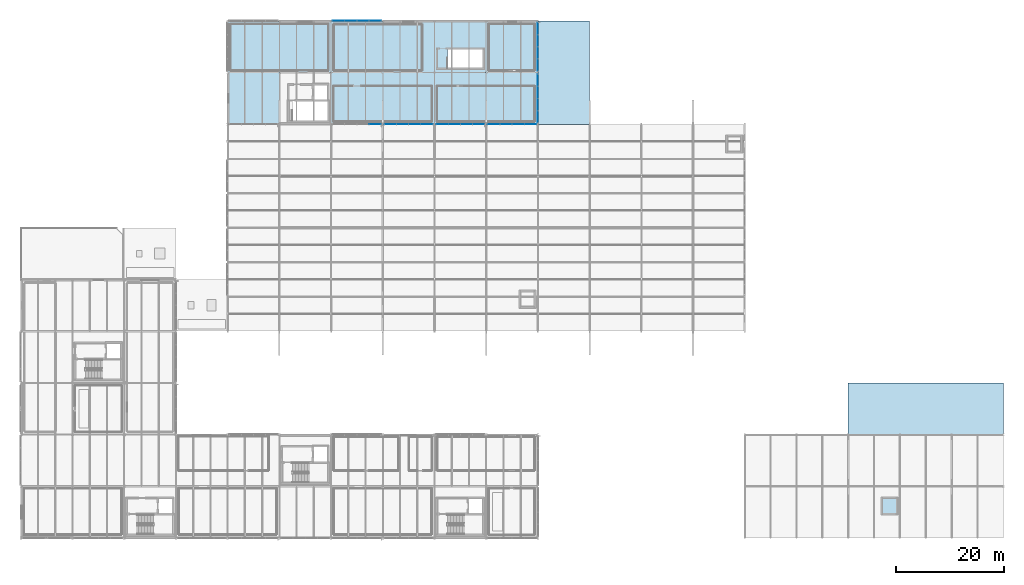
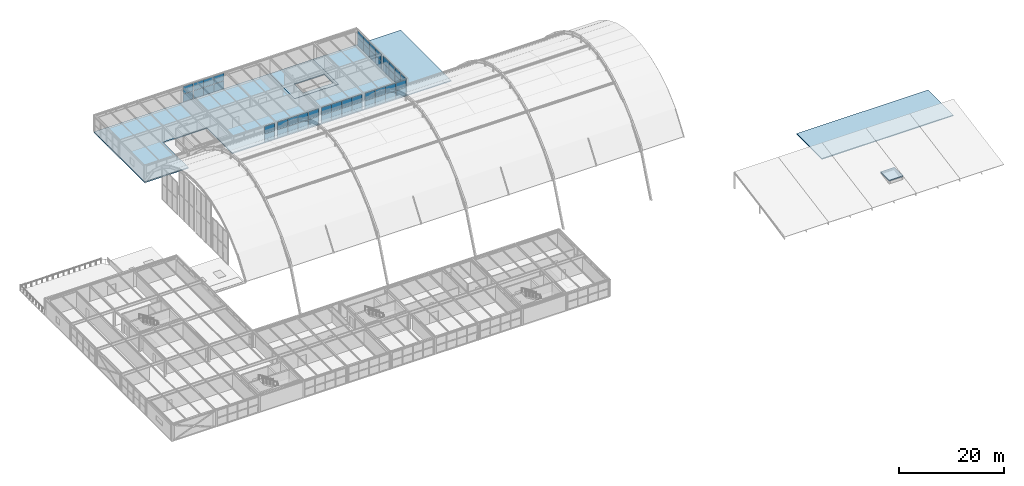
# One storey, part 108 of 126: 50 plates, 5 slabs, 7 elements without a shape of their own.
"""IFC4 building model written with IfcOpenShell, lengths in metres."""

from ifc_helpers import new_model, si_unit, direction, frame, origin, origin_2d, place, context, subcontext, project, spatial, polyline, rectangle, outline, extrude, material, layer, layer_set, type_object, element, aggregate, save


model = new_model("IFC4")

# Units and contexts
model_context = context("Model", 3, precision=1e-05, world=origin(), true_north=direction((0.0, 1.0)))
body_context = subcontext(model_context, "Body", "Model", "MODEL_VIEW")
ifc_project = project(units=[si_unit("LENGTHUNIT", "METRE"), si_unit("AREAUNIT", "SQUARE_METRE"), si_unit("VOLUMEUNIT", "CUBIC_METRE"), si_unit("PLANEANGLEUNIT", "RADIAN"), si_unit("MASSUNIT", "GRAM", prefix="KILO")], contexts=[model_context])

# Site, building, storey
site_placement = place(None, origin())
site = spatial("IfcSite", under=ifc_project, at=site_placement, CompositionType="ELEMENT")
building_placement = place(site_placement, origin())
building = spatial("IfcBuilding", under=site, at=building_placement, Name="Coralgate Yard Interchange", CompositionType="ELEMENT")
storey_placement = place(building_placement, frame((0.0, 0.0, 10.5)))
storey = spatial("IfcBuildingStorey", under=building, at=storey_placement, Name="L02", CompositionType="ELEMENT", Elevation=10.5)

# Curtain wall, plates
ifc_material_1 = material(Name="Anodised coastal aluminium and solar-control low-E glass", Category="aluminium")
curtain_wall_type = type_object("IfcCurtainWallType", Name="CW-CW-L02-A", PredefinedType="NOTDEFINED", material=ifc_material_1)
curtain_wall_1_placement = place(storey_placement, origin())
curtain_wall_1 = element("IfcCurtainWall", 1, at=curtain_wall_1_placement, inside=storey, type_object=curtain_wall_type, Name="L02 unitised curtain wall CW-L02-S-06-08", PredefinedType="NOTDEFINED")
ifc_material_2 = material(Name="Solar-control double-glazed low-E glass unit", Category="glass")
ifc_layer_1 = layer(ifc_material_2, 0.028076171875)
ifc_layer_set_1 = layer_set([ifc_layer_1], Name="Solar-control double-glazed low-E glass unit")
plate_type = type_object("IfcPlateType", Name="PLT-CP-28", PredefinedType="CURTAIN_PANEL", material=ifc_layer_set_1)
plate_1_placement = place(storey_placement, frame((65.77490234375, 76.800048828125, 0.02490234375), z_axis=(0.0, 0.0, 1.0), x_axis=(-1.0, 0.0, 0.0)))
plate_1 = element("IfcPlate", 2, at=plate_1_placement, type_object=plate_type, Name="CW-L02-S-06-08 solar-control glazing panel 1-1", PredefinedType="CURTAIN_PANEL", context=body_context, shape_type="SweptSolid", body=[
    extrude(rectangle(XDim=2.199951171875, YDim=0.028076171875, at=origin_2d()), origin(), (0.0, 0.0, 1.0), 1.780029296875),
])
plate_2_placement = place(storey_placement, frame((65.77490234375, 76.800048828125, 1.85498046875), z_axis=(0.0, 0.0, 1.0), x_axis=(-1.0, 0.0, 0.0)))
plate_2 = element("IfcPlate", 3, at=plate_2_placement, type_object=plate_type, Name="CW-L02-S-06-08 solar-control glazing panel 1-2", PredefinedType="CURTAIN_PANEL", context=body_context, shape_type="SweptSolid", body=[
    extrude(rectangle(XDim=2.199951171875, YDim=0.028076171875, at=origin_2d()), origin(), (0.0, 0.0, 1.0), 1.780029296875),
])
aggregate(curtain_wall_1, [plate_1, plate_2])

curtain_wall_2_placement = place(storey_placement, origin())
curtain_wall_2 = element("IfcCurtainWall", 4, at=curtain_wall_2_placement, inside=storey, type_object=curtain_wall_type, Name="L02 unitised curtain wall CW-L02-N-06-09", PredefinedType="NOTDEFINED")
plate_3_placement = place(storey_placement, frame((59.02490234375, 96.0, 0.02490234375), z_axis=(0.0, 0.0, 1.0), x_axis=(1.0, 0.0, 0.0)))
plate_3 = element("IfcPlate", 5, at=plate_3_placement, type_object=plate_type, Name="CW-L02-N-06-09 solar-control glazing panel 1-1", PredefinedType="CURTAIN_PANEL", context=body_context, shape_type="SweptSolid", body=[
    extrude(rectangle(XDim=2.199951171875, YDim=0.028076171875, at=origin_2d()), origin(), (0.0, 0.0, 1.0), 1.780029296875),
])
plate_4_placement = place(storey_placement, frame((59.02490234375, 96.0, 1.85498046875), z_axis=(0.0, 0.0, 1.0), x_axis=(1.0, 0.0, 0.0)))
plate_4 = element("IfcPlate", 6, at=plate_4_placement, type_object=plate_type, Name="CW-L02-N-06-09 solar-control glazing panel 1-2", PredefinedType="CURTAIN_PANEL", context=body_context, shape_type="SweptSolid", body=[
    extrude(rectangle(XDim=2.199951171875, YDim=0.028076171875, at=origin_2d()), origin(), (0.0, 0.0, 1.0), 1.780029296875),
])
plate_5_placement = place(storey_placement, frame((61.27490234375, 96.0, 0.02490234375), z_axis=(0.0, 0.0, 1.0), x_axis=(1.0, 0.0, 0.0)))
plate_5 = element("IfcPlate", 7, at=plate_5_placement, type_object=plate_type, Name="CW-L02-N-06-09 solar-control glazing panel 2-1", PredefinedType="CURTAIN_PANEL", context=body_context, shape_type="SweptSolid", body=[
    extrude(rectangle(XDim=2.199951171875, YDim=0.028076171875, at=origin_2d()), origin(), (0.0, 0.0, 1.0), 1.780029296875),
])
plate_6_placement = place(storey_placement, frame((61.27490234375, 96.0, 1.85498046875), z_axis=(0.0, 0.0, 1.0), x_axis=(1.0, 0.0, 0.0)))
plate_6 = element("IfcPlate", 8, at=plate_6_placement, type_object=plate_type, Name="CW-L02-N-06-09 solar-control glazing panel 2-2", PredefinedType="CURTAIN_PANEL", context=body_context, shape_type="SweptSolid", body=[
    extrude(rectangle(XDim=2.199951171875, YDim=0.028076171875, at=origin_2d()), origin(), (0.0, 0.0, 1.0), 1.780029296875),
])
plate_7_placement = place(storey_placement, frame((63.52490234375, 96.0, 0.02490234375), z_axis=(0.0, 0.0, 1.0), x_axis=(1.0, 0.0, 0.0)))
plate_7 = element("IfcPlate", 9, at=plate_7_placement, type_object=plate_type, Name="CW-L02-N-06-09 solar-control glazing panel 3-1", PredefinedType="CURTAIN_PANEL", context=body_context, shape_type="SweptSolid", body=[
    extrude(rectangle(XDim=2.199951171875, YDim=0.028076171875, at=origin_2d()), origin(), (0.0, 0.0, 1.0), 1.780029296875),
])
plate_8_placement = place(storey_placement, frame((63.52490234375, 96.0, 1.85498046875), z_axis=(0.0, 0.0, 1.0), x_axis=(1.0, 0.0, 0.0)))
plate_8 = element("IfcPlate", 10, at=plate_8_placement, type_object=plate_type, Name="CW-L02-N-06-09 solar-control glazing panel 3-2", PredefinedType="CURTAIN_PANEL", context=body_context, shape_type="SweptSolid", body=[
    extrude(rectangle(XDim=2.199951171875, YDim=0.028076171875, at=origin_2d()), origin(), (0.0, 0.0, 1.0), 1.780029296875),
])
plate_9_placement = place(storey_placement, frame((65.77490234375, 96.0, 0.02490234375), z_axis=(0.0, 0.0, 1.0), x_axis=(1.0, 0.0, 0.0)))
plate_9 = element("IfcPlate", 11, at=plate_9_placement, type_object=plate_type, Name="CW-L02-N-06-09 solar-control glazing panel 4-1", PredefinedType="CURTAIN_PANEL", context=body_context, shape_type="SweptSolid", body=[
    extrude(rectangle(XDim=2.199951171875, YDim=0.028076171875, at=origin_2d()), origin(), (0.0, 0.0, 1.0), 1.780029296875),
])
plate_10_placement = place(storey_placement, frame((65.77490234375, 96.0, 1.85498046875), z_axis=(0.0, 0.0, 1.0), x_axis=(1.0, 0.0, 0.0)))
plate_10 = element("IfcPlate", 12, at=plate_10_placement, type_object=plate_type, Name="CW-L02-N-06-09 solar-control glazing panel 4-2", PredefinedType="CURTAIN_PANEL", context=body_context, shape_type="SweptSolid", body=[
    extrude(rectangle(XDim=2.199951171875, YDim=0.028076171875, at=origin_2d()), origin(), (0.0, 0.0, 1.0), 1.780029296875),
])
aggregate(curtain_wall_2, [plate_3, plate_4, plate_5, plate_6, plate_7, plate_8, plate_9, plate_10])

curtain_wall_3_placement = place(storey_placement, origin())
curtain_wall_3 = element("IfcCurtainWall", 13, at=curtain_wall_3_placement, inside=storey, type_object=curtain_wall_type, Name="L02 unitised curtain wall CW-L02-S-07-08", PredefinedType="NOTDEFINED")
plate_11_placement = place(storey_placement, frame((75.375, 76.800048828125, 0.02490234375), z_axis=(0.0, 0.0, 1.0), x_axis=(-1.0, 0.0, 0.0)))
plate_11 = element("IfcPlate", 14, at=plate_11_placement, type_object=plate_type, Name="CW-L02-S-07-08 solar-control glazing panel 1-1", PredefinedType="CURTAIN_PANEL", context=body_context, shape_type="SweptSolid", body=[
    extrude(rectangle(XDim=2.199951171875, YDim=0.028076171875, at=origin_2d()), origin(), (0.0, 0.0, 1.0), 1.780029296875),
])
plate_12_placement = place(storey_placement, frame((75.375, 76.800048828125, 1.85498046875), z_axis=(0.0, 0.0, 1.0), x_axis=(-1.0, 0.0, 0.0)))
plate_12 = element("IfcPlate", 15, at=plate_12_placement, type_object=plate_type, Name="CW-L02-S-07-08 solar-control glazing panel 1-2", PredefinedType="CURTAIN_PANEL", context=body_context, shape_type="SweptSolid", body=[
    extrude(rectangle(XDim=2.199951171875, YDim=0.028076171875, at=origin_2d()), origin(), (0.0, 0.0, 1.0), 1.780029296875),
])
plate_13_placement = place(storey_placement, frame((73.125, 76.800048828125, 0.02490234375), z_axis=(0.0, 0.0, 1.0), x_axis=(-1.0, 0.0, 0.0)))
plate_13 = element("IfcPlate", 16, at=plate_13_placement, type_object=plate_type, Name="CW-L02-S-07-08 solar-control glazing panel 2-1", PredefinedType="CURTAIN_PANEL", context=body_context, shape_type="SweptSolid", body=[
    extrude(rectangle(XDim=2.199951171875, YDim=0.028076171875, at=origin_2d()), origin(), (0.0, 0.0, 1.0), 1.780029296875),
])
plate_14_placement = place(storey_placement, frame((73.125, 76.800048828125, 1.85498046875), z_axis=(0.0, 0.0, 1.0), x_axis=(-1.0, 0.0, 0.0)))
plate_14 = element("IfcPlate", 17, at=plate_14_placement, type_object=plate_type, Name="CW-L02-S-07-08 solar-control glazing panel 2-2", PredefinedType="CURTAIN_PANEL", context=body_context, shape_type="SweptSolid", body=[
    extrude(rectangle(XDim=2.199951171875, YDim=0.028076171875, at=origin_2d()), origin(), (0.0, 0.0, 1.0), 1.780029296875),
])
plate_15_placement = place(storey_placement, frame((70.875, 76.800048828125, 0.02490234375), z_axis=(0.0, 0.0, 1.0), x_axis=(-1.0, 0.0, 0.0)))
plate_15 = element("IfcPlate", 18, at=plate_15_placement, type_object=plate_type, Name="CW-L02-S-07-08 solar-control glazing panel 3-1", PredefinedType="CURTAIN_PANEL", context=body_context, shape_type="SweptSolid", body=[
    extrude(rectangle(XDim=2.199951171875, YDim=0.028076171875, at=origin_2d()), origin(), (0.0, 0.0, 1.0), 1.780029296875),
])
plate_16_placement = place(storey_placement, frame((70.875, 76.800048828125, 1.85498046875), z_axis=(0.0, 0.0, 1.0), x_axis=(-1.0, 0.0, 0.0)))
plate_16 = element("IfcPlate", 19, at=plate_16_placement, type_object=plate_type, Name="CW-L02-S-07-08 solar-control glazing panel 3-2", PredefinedType="CURTAIN_PANEL", context=body_context, shape_type="SweptSolid", body=[
    extrude(rectangle(XDim=2.199951171875, YDim=0.028076171875, at=origin_2d()), origin(), (0.0, 0.0, 1.0), 1.780029296875),
])
plate_17_placement = place(storey_placement, frame((68.625, 76.800048828125, 0.02490234375), z_axis=(0.0, 0.0, 1.0), x_axis=(-1.0, 0.0, 0.0)))
plate_17 = element("IfcPlate", 20, at=plate_17_placement, type_object=plate_type, Name="CW-L02-S-07-08 solar-control glazing panel 4-1", PredefinedType="CURTAIN_PANEL", context=body_context, shape_type="SweptSolid", body=[
    extrude(rectangle(XDim=2.199951171875, YDim=0.028076171875, at=origin_2d()), origin(), (0.0, 0.0, 1.0), 1.780029296875),
])
plate_18_placement = place(storey_placement, frame((68.625, 76.800048828125, 1.85498046875), z_axis=(0.0, 0.0, 1.0), x_axis=(-1.0, 0.0, 0.0)))
plate_18 = element("IfcPlate", 21, at=plate_18_placement, type_object=plate_type, Name="CW-L02-S-07-08 solar-control glazing panel 4-2", PredefinedType="CURTAIN_PANEL", context=body_context, shape_type="SweptSolid", body=[
    extrude(rectangle(XDim=2.199951171875, YDim=0.028076171875, at=origin_2d()), origin(), (0.0, 0.0, 1.0), 1.780029296875),
])
aggregate(curtain_wall_3, [plate_11, plate_12, plate_13, plate_14, plate_15, plate_16, plate_17, plate_18])

curtain_wall_4_placement = place(storey_placement, origin())
curtain_wall_4 = element("IfcCurtainWall", 22, at=curtain_wall_4_placement, inside=storey, type_object=curtain_wall_type, Name="L02 unitised curtain wall CW-L02-S-08-08", PredefinedType="NOTDEFINED")
plate_19_placement = place(storey_placement, frame((84.97509765625, 76.800048828125, 0.02490234375), z_axis=(0.0, 0.0, 1.0), x_axis=(-1.0, 0.0, 0.0)))
plate_19 = element("IfcPlate", 23, at=plate_19_placement, type_object=plate_type, Name="CW-L02-S-08-08 solar-control glazing panel 1-1", PredefinedType="CURTAIN_PANEL", context=body_context, shape_type="SweptSolid", body=[
    extrude(rectangle(XDim=2.199951171875, YDim=0.028076171875, at=origin_2d()), origin(), (0.0, 0.0, 1.0), 1.780029296875),
])
plate_20_placement = place(storey_placement, frame((84.97509765625, 76.800048828125, 1.85498046875), z_axis=(0.0, 0.0, 1.0), x_axis=(-1.0, 0.0, 0.0)))
plate_20 = element("IfcPlate", 24, at=plate_20_placement, type_object=plate_type, Name="CW-L02-S-08-08 solar-control glazing panel 1-2", PredefinedType="CURTAIN_PANEL", context=body_context, shape_type="SweptSolid", body=[
    extrude(rectangle(XDim=2.199951171875, YDim=0.028076171875, at=origin_2d()), origin(), (0.0, 0.0, 1.0), 1.780029296875),
])
plate_21_placement = place(storey_placement, frame((82.72509765625, 76.800048828125, 0.02490234375), z_axis=(0.0, 0.0, 1.0), x_axis=(-1.0, 0.0, 0.0)))
plate_21 = element("IfcPlate", 25, at=plate_21_placement, type_object=plate_type, Name="CW-L02-S-08-08 solar-control glazing panel 2-1", PredefinedType="CURTAIN_PANEL", context=body_context, shape_type="SweptSolid", body=[
    extrude(rectangle(XDim=2.199951171875, YDim=0.028076171875, at=origin_2d()), origin(), (0.0, 0.0, 1.0), 1.780029296875),
])
plate_22_placement = place(storey_placement, frame((82.72509765625, 76.800048828125, 1.85498046875), z_axis=(0.0, 0.0, 1.0), x_axis=(-1.0, 0.0, 0.0)))
plate_22 = element("IfcPlate", 26, at=plate_22_placement, type_object=plate_type, Name="CW-L02-S-08-08 solar-control glazing panel 2-2", PredefinedType="CURTAIN_PANEL", context=body_context, shape_type="SweptSolid", body=[
    extrude(rectangle(XDim=2.199951171875, YDim=0.028076171875, at=origin_2d()), origin(), (0.0, 0.0, 1.0), 1.780029296875),
])
plate_23_placement = place(storey_placement, frame((80.47509765625, 76.800048828125, 0.02490234375), z_axis=(0.0, 0.0, 1.0), x_axis=(-1.0, 0.0, 0.0)))
plate_23 = element("IfcPlate", 27, at=plate_23_placement, type_object=plate_type, Name="CW-L02-S-08-08 solar-control glazing panel 3-1", PredefinedType="CURTAIN_PANEL", context=body_context, shape_type="SweptSolid", body=[
    extrude(rectangle(XDim=2.199951171875, YDim=0.028076171875, at=origin_2d()), origin(), (0.0, 0.0, 1.0), 1.780029296875),
])
plate_24_placement = place(storey_placement, frame((80.47509765625, 76.800048828125, 1.85498046875), z_axis=(0.0, 0.0, 1.0), x_axis=(-1.0, 0.0, 0.0)))
plate_24 = element("IfcPlate", 28, at=plate_24_placement, type_object=plate_type, Name="CW-L02-S-08-08 solar-control glazing panel 3-2", PredefinedType="CURTAIN_PANEL", context=body_context, shape_type="SweptSolid", body=[
    extrude(rectangle(XDim=2.199951171875, YDim=0.028076171875, at=origin_2d()), origin(), (0.0, 0.0, 1.0), 1.780029296875),
])
plate_25_placement = place(storey_placement, frame((78.22509765625, 76.800048828125, 0.02490234375), z_axis=(0.0, 0.0, 1.0), x_axis=(-1.0, 0.0, 0.0)))
plate_25 = element("IfcPlate", 29, at=plate_25_placement, type_object=plate_type, Name="CW-L02-S-08-08 solar-control glazing panel 4-1", PredefinedType="CURTAIN_PANEL", context=body_context, shape_type="SweptSolid", body=[
    extrude(rectangle(XDim=2.199951171875, YDim=0.028076171875, at=origin_2d()), origin(), (0.0, 0.0, 1.0), 1.780029296875),
])
plate_26_placement = place(storey_placement, frame((78.22509765625, 76.800048828125, 1.85498046875), z_axis=(0.0, 0.0, 1.0), x_axis=(-1.0, 0.0, 0.0)))
plate_26 = element("IfcPlate", 30, at=plate_26_placement, type_object=plate_type, Name="CW-L02-S-08-08 solar-control glazing panel 4-2", PredefinedType="CURTAIN_PANEL", context=body_context, shape_type="SweptSolid", body=[
    extrude(rectangle(XDim=2.199951171875, YDim=0.028076171875, at=origin_2d()), origin(), (0.0, 0.0, 1.0), 1.780029296875),
])
aggregate(curtain_wall_4, [plate_19, plate_20, plate_21, plate_22, plate_23, plate_24, plate_25, plate_26])

curtain_wall_5_placement = place(storey_placement, origin())
curtain_wall_5 = element("IfcCurtainWall", 31, at=curtain_wall_5_placement, inside=storey, type_object=curtain_wall_type, Name="L02 unitised curtain wall CW-L02-S-09-08", PredefinedType="NOTDEFINED")
plate_27_placement = place(storey_placement, frame((94.574951171875, 76.800048828125, 0.02490234375), z_axis=(0.0, 0.0, 1.0), x_axis=(-1.0, 0.0, 0.0)))
plate_27 = element("IfcPlate", 32, at=plate_27_placement, type_object=plate_type, Name="CW-L02-S-09-08 solar-control glazing panel 1-1", PredefinedType="CURTAIN_PANEL", context=body_context, shape_type="SweptSolid", body=[
    extrude(rectangle(XDim=2.199951171875, YDim=0.028076171875, at=origin_2d()), origin(), (0.0, 0.0, 1.0), 1.780029296875),
])
plate_28_placement = place(storey_placement, frame((94.574951171875, 76.800048828125, 1.85498046875), z_axis=(0.0, 0.0, 1.0), x_axis=(-1.0, 0.0, 0.0)))
plate_28 = element("IfcPlate", 33, at=plate_28_placement, type_object=plate_type, Name="CW-L02-S-09-08 solar-control glazing panel 1-2", PredefinedType="CURTAIN_PANEL", context=body_context, shape_type="SweptSolid", body=[
    extrude(rectangle(XDim=2.199951171875, YDim=0.028076171875, at=origin_2d()), origin(), (0.0, 0.0, 1.0), 1.780029296875),
])
plate_29_placement = place(storey_placement, frame((92.324951171875, 76.800048828125, 0.02490234375), z_axis=(0.0, 0.0, 1.0), x_axis=(-1.0, 0.0, 0.0)))
plate_29 = element("IfcPlate", 34, at=plate_29_placement, type_object=plate_type, Name="CW-L02-S-09-08 solar-control glazing panel 2-1", PredefinedType="CURTAIN_PANEL", context=body_context, shape_type="SweptSolid", body=[
    extrude(rectangle(XDim=2.199951171875, YDim=0.028076171875, at=origin_2d()), origin(), (0.0, 0.0, 1.0), 1.780029296875),
])
plate_30_placement = place(storey_placement, frame((92.324951171875, 76.800048828125, 1.85498046875), z_axis=(0.0, 0.0, 1.0), x_axis=(-1.0, 0.0, 0.0)))
plate_30 = element("IfcPlate", 35, at=plate_30_placement, type_object=plate_type, Name="CW-L02-S-09-08 solar-control glazing panel 2-2", PredefinedType="CURTAIN_PANEL", context=body_context, shape_type="SweptSolid", body=[
    extrude(rectangle(XDim=2.199951171875, YDim=0.028076171875, at=origin_2d()), origin(), (0.0, 0.0, 1.0), 1.780029296875),
])
plate_31_placement = place(storey_placement, frame((90.074951171875, 76.800048828125, 0.02490234375), z_axis=(0.0, 0.0, 1.0), x_axis=(-1.0, 0.0, 0.0)))
plate_31 = element("IfcPlate", 36, at=plate_31_placement, type_object=plate_type, Name="CW-L02-S-09-08 solar-control glazing panel 3-1", PredefinedType="CURTAIN_PANEL", context=body_context, shape_type="SweptSolid", body=[
    extrude(rectangle(XDim=2.199951171875, YDim=0.028076171875, at=origin_2d()), origin(), (0.0, 0.0, 1.0), 1.780029296875),
])
plate_32_placement = place(storey_placement, frame((90.074951171875, 76.800048828125, 1.85498046875), z_axis=(0.0, 0.0, 1.0), x_axis=(-1.0, 0.0, 0.0)))
plate_32 = element("IfcPlate", 37, at=plate_32_placement, type_object=plate_type, Name="CW-L02-S-09-08 solar-control glazing panel 3-2", PredefinedType="CURTAIN_PANEL", context=body_context, shape_type="SweptSolid", body=[
    extrude(rectangle(XDim=2.199951171875, YDim=0.028076171875, at=origin_2d()), origin(), (0.0, 0.0, 1.0), 1.780029296875),
])
plate_33_placement = place(storey_placement, frame((87.824951171875, 76.800048828125, 0.02490234375), z_axis=(0.0, 0.0, 1.0), x_axis=(-1.0, 0.0, 0.0)))
plate_33 = element("IfcPlate", 38, at=plate_33_placement, type_object=plate_type, Name="CW-L02-S-09-08 solar-control glazing panel 4-1", PredefinedType="CURTAIN_PANEL", context=body_context, shape_type="SweptSolid", body=[
    extrude(rectangle(XDim=2.199951171875, YDim=0.028076171875, at=origin_2d()), origin(), (0.0, 0.0, 1.0), 1.780029296875),
])
plate_34_placement = place(storey_placement, frame((87.824951171875, 76.800048828125, 1.85498046875), z_axis=(0.0, 0.0, 1.0), x_axis=(-1.0, 0.0, 0.0)))
plate_34 = element("IfcPlate", 39, at=plate_34_placement, type_object=plate_type, Name="CW-L02-S-09-08 solar-control glazing panel 4-2", PredefinedType="CURTAIN_PANEL", context=body_context, shape_type="SweptSolid", body=[
    extrude(rectangle(XDim=2.199951171875, YDim=0.028076171875, at=origin_2d()), origin(), (0.0, 0.0, 1.0), 1.780029296875),
])
aggregate(curtain_wall_5, [plate_27, plate_28, plate_29, plate_30, plate_31, plate_32, plate_33, plate_34])

curtain_wall_6_placement = place(storey_placement, origin())
curtain_wall_6 = element("IfcCurtainWall", 40, at=curtain_wall_6_placement, inside=storey, type_object=curtain_wall_type, Name="L02 unitised curtain wall CW-L02-E-09-08", PredefinedType="NOTDEFINED")
plate_35_placement = place(storey_placement, frame((96.0, 84.97509765625, 0.02490234375), z_axis=(0.0, 0.0, 1.0), x_axis=(0.0, -1.0, 0.0)))
plate_35 = element("IfcPlate", 41, at=plate_35_placement, type_object=plate_type, Name="CW-L02-E-09-08 solar-control glazing panel 1-1", PredefinedType="CURTAIN_PANEL", context=body_context, shape_type="SweptSolid", body=[
    extrude(rectangle(XDim=2.199951171875, YDim=0.028076171875, at=origin_2d()), origin(), (0.0, 0.0, 1.0), 1.696533203125),
])
plate_36_placement = place(storey_placement, frame((96.0, 84.97509765625, 1.771484375), z_axis=(0.0, 0.0, 1.0), x_axis=(0.0, -1.0, 0.0)))
plate_36 = element("IfcPlate", 42, at=plate_36_placement, type_object=plate_type, Name="CW-L02-E-09-08 solar-control glazing panel 1-2", PredefinedType="CURTAIN_PANEL", context=body_context, shape_type="SweptSolid", body=[
    extrude(rectangle(XDim=2.199951171875, YDim=0.028076171875, at=origin_2d()), origin(), (0.0, 0.0, 1.0), 1.696533203125),
])
plate_37_placement = place(storey_placement, frame((96.0, 82.72509765625, 0.02490234375), z_axis=(0.0, 0.0, 1.0), x_axis=(0.0, -1.0, 0.0)))
plate_37 = element("IfcPlate", 43, at=plate_37_placement, type_object=plate_type, Name="CW-L02-E-09-08 solar-control glazing panel 2-1", PredefinedType="CURTAIN_PANEL", context=body_context, shape_type="SweptSolid", body=[
    extrude(rectangle(XDim=2.199951171875, YDim=0.028076171875, at=origin_2d()), origin(), (0.0, 0.0, 1.0), 1.696533203125),
])
plate_38_placement = place(storey_placement, frame((96.0, 82.72509765625, 1.771484375), z_axis=(0.0, 0.0, 1.0), x_axis=(0.0, -1.0, 0.0)))
plate_38 = element("IfcPlate", 44, at=plate_38_placement, type_object=plate_type, Name="CW-L02-E-09-08 solar-control glazing panel 2-2", PredefinedType="CURTAIN_PANEL", context=body_context, shape_type="SweptSolid", body=[
    extrude(rectangle(XDim=2.199951171875, YDim=0.028076171875, at=origin_2d()), origin(), (0.0, 0.0, 1.0), 1.696533203125),
])
plate_39_placement = place(storey_placement, frame((96.0, 80.47509765625, 0.02490234375), z_axis=(0.0, 0.0, 1.0), x_axis=(0.0, -1.0, 0.0)))
plate_39 = element("IfcPlate", 45, at=plate_39_placement, type_object=plate_type, Name="CW-L02-E-09-08 solar-control glazing panel 3-1", PredefinedType="CURTAIN_PANEL", context=body_context, shape_type="SweptSolid", body=[
    extrude(rectangle(XDim=2.199951171875, YDim=0.028076171875, at=origin_2d()), origin(), (0.0, 0.0, 1.0), 1.696533203125),
])
plate_40_placement = place(storey_placement, frame((96.0, 80.47509765625, 1.771484375), z_axis=(0.0, 0.0, 1.0), x_axis=(0.0, -1.0, 0.0)))
plate_40 = element("IfcPlate", 46, at=plate_40_placement, type_object=plate_type, Name="CW-L02-E-09-08 solar-control glazing panel 3-2", PredefinedType="CURTAIN_PANEL", context=body_context, shape_type="SweptSolid", body=[
    extrude(rectangle(XDim=2.199951171875, YDim=0.028076171875, at=origin_2d()), origin(), (0.0, 0.0, 1.0), 1.696533203125),
])
plate_41_placement = place(storey_placement, frame((96.0, 78.22509765625, 0.02490234375), z_axis=(0.0, 0.0, 1.0), x_axis=(0.0, -1.0, 0.0)))
plate_41 = element("IfcPlate", 47, at=plate_41_placement, type_object=plate_type, Name="CW-L02-E-09-08 solar-control glazing panel 4-1", PredefinedType="CURTAIN_PANEL", context=body_context, shape_type="SweptSolid", body=[
    extrude(rectangle(XDim=2.199951171875, YDim=0.028076171875, at=origin_2d()), origin(), (0.0, 0.0, 1.0), 1.696533203125),
])
plate_42_placement = place(storey_placement, frame((96.0, 78.22509765625, 1.771484375), z_axis=(0.0, 0.0, 1.0), x_axis=(0.0, -1.0, 0.0)))
plate_42 = element("IfcPlate", 48, at=plate_42_placement, type_object=plate_type, Name="CW-L02-E-09-08 solar-control glazing panel 4-2", PredefinedType="CURTAIN_PANEL", context=body_context, shape_type="SweptSolid", body=[
    extrude(rectangle(XDim=2.199951171875, YDim=0.028076171875, at=origin_2d()), origin(), (0.0, 0.0, 1.0), 1.696533203125),
])
aggregate(curtain_wall_6, [plate_35, plate_36, plate_37, plate_38, plate_39, plate_40, plate_41, plate_42])

curtain_wall_7_placement = place(storey_placement, origin())
curtain_wall_7 = element("IfcCurtainWall", 49, at=curtain_wall_7_placement, inside=storey, type_object=curtain_wall_type, Name="L02 unitised curtain wall CW-L02-E-09-09", PredefinedType="NOTDEFINED")
plate_43_placement = place(storey_placement, frame((96.0, 94.574951171875, 0.02490234375), z_axis=(0.0, 0.0, 1.0), x_axis=(0.0, -1.0, 0.0)))
plate_43 = element("IfcPlate", 50, at=plate_43_placement, type_object=plate_type, Name="CW-L02-E-09-09 solar-control glazing panel 1-1", PredefinedType="CURTAIN_PANEL", context=body_context, shape_type="SweptSolid", body=[
    extrude(rectangle(XDim=2.199951171875, YDim=0.028076171875, at=origin_2d()), origin(), (0.0, 0.0, 1.0), 1.696533203125),
])
plate_44_placement = place(storey_placement, frame((96.0, 94.574951171875, 1.771484375), z_axis=(0.0, 0.0, 1.0), x_axis=(0.0, -1.0, 0.0)))
plate_44 = element("IfcPlate", 51, at=plate_44_placement, type_object=plate_type, Name="CW-L02-E-09-09 solar-control glazing panel 1-2", PredefinedType="CURTAIN_PANEL", context=body_context, shape_type="SweptSolid", body=[
    extrude(rectangle(XDim=2.199951171875, YDim=0.028076171875, at=origin_2d()), origin(), (0.0, 0.0, 1.0), 1.696533203125),
])
plate_45_placement = place(storey_placement, frame((96.0, 92.324951171875, 0.02490234375), z_axis=(0.0, 0.0, 1.0), x_axis=(0.0, -1.0, 0.0)))
plate_45 = element("IfcPlate", 52, at=plate_45_placement, type_object=plate_type, Name="CW-L02-E-09-09 solar-control glazing panel 2-1", PredefinedType="CURTAIN_PANEL", context=body_context, shape_type="SweptSolid", body=[
    extrude(rectangle(XDim=2.199951171875, YDim=0.028076171875, at=origin_2d()), origin(), (0.0, 0.0, 1.0), 1.696533203125),
])
plate_46_placement = place(storey_placement, frame((96.0, 92.324951171875, 1.771484375), z_axis=(0.0, 0.0, 1.0), x_axis=(0.0, -1.0, 0.0)))
plate_46 = element("IfcPlate", 53, at=plate_46_placement, type_object=plate_type, Name="CW-L02-E-09-09 solar-control glazing panel 2-2", PredefinedType="CURTAIN_PANEL", context=body_context, shape_type="SweptSolid", body=[
    extrude(rectangle(XDim=2.199951171875, YDim=0.028076171875, at=origin_2d()), origin(), (0.0, 0.0, 1.0), 1.696533203125),
])
plate_47_placement = place(storey_placement, frame((96.0, 90.074951171875, 0.02490234375), z_axis=(0.0, 0.0, 1.0), x_axis=(0.0, -1.0, 0.0)))
plate_47 = element("IfcPlate", 54, at=plate_47_placement, type_object=plate_type, Name="CW-L02-E-09-09 solar-control glazing panel 3-1", PredefinedType="CURTAIN_PANEL", context=body_context, shape_type="SweptSolid", body=[
    extrude(rectangle(XDim=2.199951171875, YDim=0.028076171875, at=origin_2d()), origin(), (0.0, 0.0, 1.0), 1.696533203125),
])
plate_48_placement = place(storey_placement, frame((96.0, 90.074951171875, 1.771484375), z_axis=(0.0, 0.0, 1.0), x_axis=(0.0, -1.0, 0.0)))
plate_48 = element("IfcPlate", 55, at=plate_48_placement, type_object=plate_type, Name="CW-L02-E-09-09 solar-control glazing panel 3-2", PredefinedType="CURTAIN_PANEL", context=body_context, shape_type="SweptSolid", body=[
    extrude(rectangle(XDim=2.199951171875, YDim=0.028076171875, at=origin_2d()), origin(), (0.0, 0.0, 1.0), 1.696533203125),
])
plate_49_placement = place(storey_placement, frame((96.0, 87.824951171875, 0.02490234375), z_axis=(0.0, 0.0, 1.0), x_axis=(0.0, -1.0, 0.0)))
plate_49 = element("IfcPlate", 56, at=plate_49_placement, type_object=plate_type, Name="CW-L02-E-09-09 solar-control glazing panel 4-1", PredefinedType="CURTAIN_PANEL", context=body_context, shape_type="SweptSolid", body=[
    extrude(rectangle(XDim=2.199951171875, YDim=0.028076171875, at=origin_2d()), origin(), (0.0, 0.0, 1.0), 1.696533203125),
])
plate_50_placement = place(storey_placement, frame((96.0, 87.824951171875, 1.771484375), z_axis=(0.0, 0.0, 1.0), x_axis=(0.0, -1.0, 0.0)))
plate_50 = element("IfcPlate", 57, at=plate_50_placement, type_object=plate_type, Name="CW-L02-E-09-09 solar-control glazing panel 4-2", PredefinedType="CURTAIN_PANEL", context=body_context, shape_type="SweptSolid", body=[
    extrude(rectangle(XDim=2.199951171875, YDim=0.028076171875, at=origin_2d()), origin(), (0.0, 0.0, 1.0), 1.696533203125),
])
aggregate(curtain_wall_7, [plate_43, plate_44, plate_45, plate_46, plate_47, plate_48, plate_49, plate_50])

# Slabs
ifc_material_3 = material(Name="Concrete C40/50", Category="concrete")
ifc_layer_2 = layer(ifc_material_3, 0.239990234375)
ifc_layer_set_2 = layer_set([ifc_layer_2], Name="Concrete C40/50")
slab_type_1 = type_object("IfcSlabType", Name="SLB-CAP240", PredefinedType="ROOF", material=ifc_layer_set_2)
slab_1_placement = place(storey_placement, frame((0.0, 0.0, 1.60009765625)))
element("IfcSlab", 58, at=slab_1_placement, inside=storey, type_object=slab_type_1, Name="LF-06 lift overrun roof slab", PredefinedType="ROOF", context=body_context, shape_type="SweptSolid", body=[
    extrude(outline(polyline([(159.699951171875, 4.300048828125), (162.800048828125, 4.300048828125), (162.800048828125, 7.60009765625), (159.699951171875, 7.60009765625), (159.699951171875, 4.300048828125)])), origin(), (0.0, 0.0, 1.0), 0.239990234375),
])
ifc_layer_3 = layer(ifc_material_3, 0.25)
ifc_layer_set_3 = layer_set([ifc_layer_3], Name="Concrete C40/50")
slab_type_2 = type_object("IfcSlabType", Name="SLB-SL-FLR250", PredefinedType="FLOOR", material=ifc_layer_set_3)
slab_2_placement = place(storey_placement, frame((0.0, 0.0, -0.25)))
element("IfcSlab", 59, at=slab_2_placement, inside=storey, type_object=slab_type_2, Name="L02 core C9 structural floor slab", PredefinedType="FLOOR", context=body_context, shape_type="SweptSolid", body=[
    extrude(outline(polyline([(76.800048828125, 96.0), (86.39990234375, 96.0), (86.39990234375, 86.39990234375), (76.800048828125, 86.39990234375), (76.800048828125, 96.0)]), holes=[polyline([(85.800048828125, 87.260009765625), (85.800048828125, 90.7099609375), (79.219970703125, 90.7099609375), (79.219970703125, 87.260009765625), (85.800048828125, 87.260009765625)])]), origin(), (0.0, 0.0, 1.0), 0.25),
])
slab_3_placement = place(storey_placement, frame((0.0, 0.0, -0.25)))
element("IfcSlab", 60, at=slab_3_placement, inside=storey, type_object=slab_type_2, Name="L02 passenger service & community hall slab", PredefinedType="FLOOR", context=body_context, shape_type="SweptSolid", body=[
    extrude(outline(polyline([(48.0, 76.800048828125), (38.39990234375, 76.800048828125), (38.39990234375, 86.39990234375), (38.39990234375, 96.0), (48.0, 96.0), (57.60009765625, 96.0), (67.199951171875, 96.0), (76.800048828125, 96.0), (76.800048828125, 86.39990234375), (86.39990234375, 86.39990234375), (86.39990234375, 96.0), (96.0, 96.0), (96.0, 86.39990234375), (96.0, 76.800048828125), (86.39990234375, 76.800048828125), (76.800048828125, 76.800048828125), (67.199951171875, 76.800048828125), (57.60009765625, 76.800048828125), (57.60009765625, 86.39990234375), (48.0, 86.39990234375), (48.0, 76.800048828125)])), origin(), (0.0, 0.0, 1.0), 0.25),
])
ifc_layer_4 = layer(ifc_material_3, 0.219970703125)
ifc_layer_set_4 = layer_set([ifc_layer_4], Name="Concrete C40/50")
slab_type_3 = type_object("IfcSlabType", Name="SLB-SL-RF220", PredefinedType="ROOF", material=ifc_layer_set_4)
slab_4_placement = place(storey_placement, frame((0.0, 0.0, -0.219970703125)))
element("IfcSlab", 61, at=slab_4_placement, inside=storey, type_object=slab_type_3, Name="L02 insulated flat concrete roof over L01", PredefinedType="ROOF", context=body_context, shape_type="SweptSolid", body=[
    extrude(outline(polyline([(153.60009765625, 28.800048828125), (163.199951171875, 28.800048828125), (172.800048828125, 28.800048828125), (182.39990234375, 28.800048828125), (182.39990234375, 19.199951171875), (172.800048828125, 19.199951171875), (163.199951171875, 19.199951171875), (153.60009765625, 19.199951171875), (153.60009765625, 28.800048828125)])), origin(), (0.0, 0.0, 1.0), 0.219970703125),
])
slab_5_placement = place(storey_placement, frame((0.0, 0.0, -0.219970703125)))
element("IfcSlab", 62, at=slab_5_placement, inside=storey, type_object=slab_type_3, Name="L02 insulated flat concrete roof over L01", PredefinedType="ROOF", context=body_context, shape_type="SweptSolid", body=[
    extrude(outline(polyline([(96.0, 86.39990234375), (96.0, 96.0), (105.60009765625, 96.0), (105.60009765625, 86.39990234375), (105.60009765625, 76.800048828125), (96.0, 76.800048828125), (96.0, 86.39990234375)])), origin(), (0.0, 0.0, 1.0), 0.219970703125),
])

save(model, "model.ifc")
